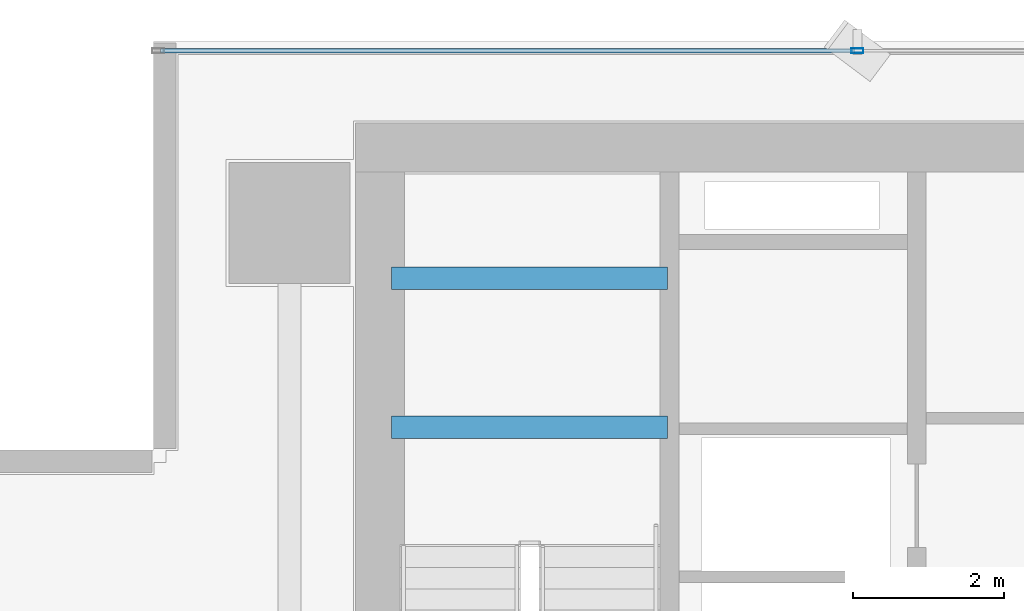
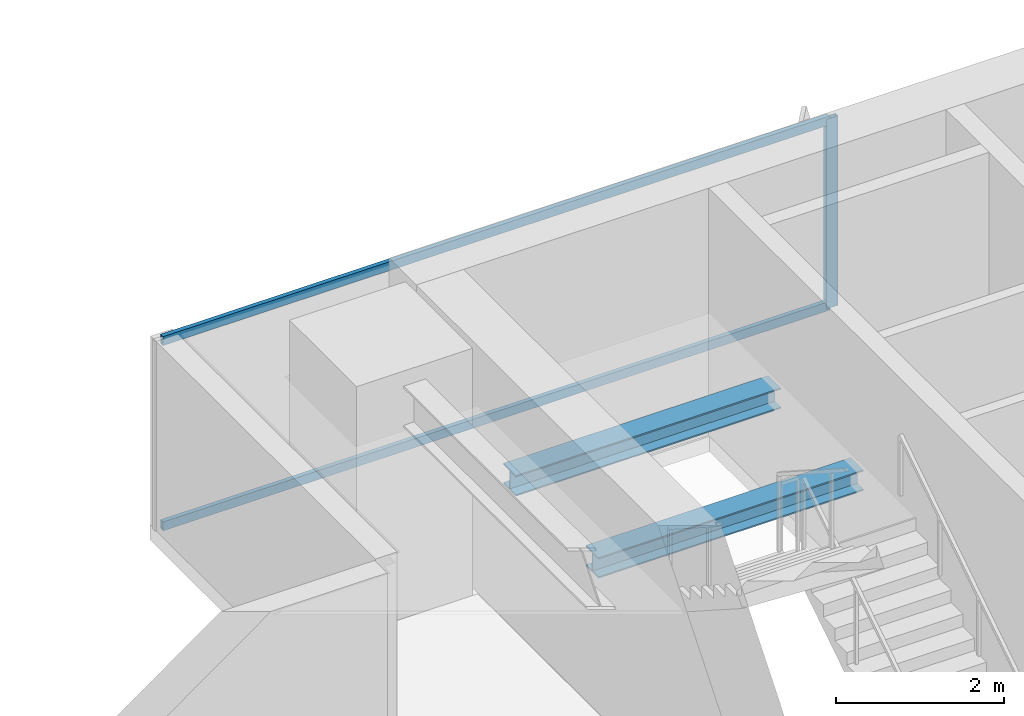
# One storey, part 15 of 28: 3 members, 2 beams, 1 element without a shape of its own.
"""IFC4 building model written with IfcOpenShell, lengths in metres."""

from ifc_helpers import new_model, si_unit, direction, frame, origin, origin_2d, place, context, subcontext, project, spatial, hollow_rectangle, i_section, extrude, source, transform, mapped, material, layer, layer_set, material_profile, profile_set, type_object, element, aggregate, save


model = new_model("IFC4")

# Units and contexts
model_context = context("Model", 3, precision=1e-05, world=origin(), true_north=direction((0.0, 1.0)))
body_context = subcontext(model_context, "Body", "Model", "MODEL_VIEW")
ifc_project = project(units=[si_unit("LENGTHUNIT", "METRE"), si_unit("AREAUNIT", "SQUARE_METRE"), si_unit("VOLUMEUNIT", "CUBIC_METRE"), si_unit("PLANEANGLEUNIT", "RADIAN"), si_unit("MASSUNIT", "GRAM", prefix="KILO")], contexts=[model_context])

# Site, building, storey
site_placement = place(None, origin())
site = spatial("IfcSite", under=ifc_project, at=site_placement, CompositionType="ELEMENT")
building_placement = place(site_placement, origin())
building = spatial("IfcBuilding", under=site, at=building_placement, Name="Sumidabori Civic Tower", CompositionType="ELEMENT")
storey_placement = place(building_placement, frame((0.0, 0.0, 153.199951171875)))
storey = spatial("IfcBuildingStorey", under=building, at=storey_placement, Name="L39", CompositionType="ELEMENT", Elevation=153.199951171875)

# Beams
ifc_material_1 = material(Name="Steel SN490", Category="steel")
ifc_material_profile_1 = material_profile(ifc_material_1, i_section(OverallWidth=0.300048828125, OverallDepth=0.300048828125, WebThickness=0.010986328125, FlangeThickness=0.01904296875, at=origin_2d()), Name="HE 300 B")
ifc_profile_set_1 = profile_set([ifc_material_profile_1], Name="Steel SN490")
beam_type = type_object("IfcBeamType", Name="BM-LDG-300", PredefinedType="BEAM", material=ifc_profile_set_1)
shared_shape_1 = source(origin(), body_context, "Body", "SweptSolid", [
    extrude(i_section(OverallWidth=0.300048828125, OverallDepth=0.300048828125, WebThickness=0.010986328125, FlangeThickness=0.01904296875, at=origin_2d()), origin(), (0.0, 0.0, 1.0), 3.64990234375),
])
for number, where, z_axis, x_axis, name in (
    (1, (-15.449951171875, 20.09765625, 1.449951171875), (1.0, 0.0, 0.0), (0.0, 1.0, 0.0), "Stair ST-1 Landing Support Beam L39-1A"),
    (2, (-15.449951171875, 22.069580078125, 1.449951171875), (1.0, 0.0, 0.0), (0.0, 1.0, 0.0), "Stair ST-1 Landing Trimmer Beam L39-1B"),
):
    element("IfcBeam", number, at=place(storey_placement, frame(where, z_axis=z_axis, x_axis=x_axis)), inside=storey, type_object=beam_type, Name=name, PredefinedType="BEAM", context=body_context, shape_type="MappedRepresentation", body=[
        mapped(shared_shape_1, transform((0.0, 0.0, 0.0), x_axis=(1.0, 0.0, 0.0), y_axis=(0.0, 1.0, 0.0), z_axis=(0.0, 0.0, 1.0), scale=1.0)),
    ])

# Curtain wall, members
ifc_material_2 = material(Name="Anodised Bronze Aluminium AW-6063-T6", Category="aluminium")
ifc_layer = layer(ifc_material_2, 0.179931640625, Name="Anodised Bronze Aluminium AW-6063-T6")
ifc_layer_set = layer_set([ifc_layer], Name="Anodised Bronze Aluminium AW-6063-T6")
curtain_wall_type = type_object("IfcCurtainWallType", Name="CW-SYS-3", PredefinedType="NOTDEFINED", material=ifc_layer_set)
curtain_wall_placement = place(storey_placement, origin())
curtain_wall = element("IfcCurtainWall", 3, at=curtain_wall_placement, inside=storey, type_object=curtain_wall_type, Name="Curtain Wall CW:L39:R07", PredefinedType="NOTDEFINED")
ifc_material_profile_2 = material_profile(ifc_material_2, hollow_rectangle(XDim=0.06494140625, YDim=0.159912109375, WallThickness=0.0048828125, at=origin_2d()), Name="ALU MULLION 160x65")
ifc_profile_set_2 = profile_set([ifc_material_profile_2], Name="Anodised Bronze Aluminium AW-6063-T6")
member_type_1 = type_object("IfcMemberType", Name="CW-MUL-160", PredefinedType="MULLION", material=ifc_profile_set_2)
shared_shape_2 = source(origin(), body_context, "Body", "SweptSolid", [
    extrude(hollow_rectangle(XDim=0.06494140625, YDim=0.159912109375, WallThickness=0.0048828125, at=origin_2d()), origin(), (0.0, 0.0, 1.0), 2.760009765625),
])
member_1_placement = place(storey_placement, frame((-9.284912109375, 25.080078125, 0.0), z_axis=(0.0, 0.0, 1.0), x_axis=(0.0, -1.0, 0.0)))
member_1 = element("IfcMember", 4, at=member_1_placement, type_object=member_type_1, Name="CW-3 mullion 4", PredefinedType="MULLION", context=body_context, shape_type="MappedRepresentation", body=[
    mapped(shared_shape_2, transform((0.0, 0.0, 0.0), x_axis=(1.0, 0.0, 0.0), y_axis=(0.0, 1.0, 0.0), z_axis=(0.0, 0.0, 1.0), scale=1.0)),
])
ifc_material_profile_3 = material_profile(ifc_material_2, hollow_rectangle(XDim=0.06005859375, YDim=0.1298828125, WallThickness=0.0048828125, at=origin_2d()), Name="ALU TRANSOM 130x60")
ifc_profile_set_3 = profile_set([ifc_material_profile_3], Name="Anodised Bronze Aluminium AW-6063-T6")
member_type_2 = type_object("IfcMemberType", Name="CW-TRN-130", PredefinedType="USERDEFINED", material=ifc_profile_set_3)
shared_shape_3 = source(origin(), body_context, "Body", "SweptSolid", [
    extrude(hollow_rectangle(XDim=0.06005859375, YDim=0.1298828125, WallThickness=0.0048828125, at=origin_2d()), origin(), (0.0, 0.0, 1.0), 9.1875),
])
member_2_placement = place(storey_placement, frame((-9.3173828125, 25.080078125, 0.030029296875), z_axis=(-1.0, 0.0, 0.0), x_axis=(0.0, -1.0, 0.0)))
member_2 = element("IfcMember", 5, at=member_2_placement, type_object=member_type_2, Name="CW-3 transom 4.1", ObjectType="TRANSOM", PredefinedType="USERDEFINED", context=body_context, shape_type="MappedRepresentation", body=[
    mapped(shared_shape_3, transform((0.0, 0.0, 0.0), x_axis=(1.0, 0.0, 0.0), y_axis=(0.0, 1.0, 0.0), z_axis=(0.0, 0.0, 1.0), scale=1.0)),
])
member_3_placement = place(storey_placement, frame((-9.3173828125, 25.080078125, 2.72998046875), z_axis=(-1.0, 0.0, 0.0), x_axis=(0.0, -1.0, 0.0)))
member_3 = element("IfcMember", 6, at=member_3_placement, type_object=member_type_2, Name="CW-3 transom 4.2", ObjectType="TRANSOM", PredefinedType="USERDEFINED", context=body_context, shape_type="MappedRepresentation", body=[
    mapped(shared_shape_3, transform((0.0, 0.0, 0.0), x_axis=(1.0, 0.0, 0.0), y_axis=(0.0, 1.0, 0.0), z_axis=(0.0, 0.0, 1.0), scale=1.0)),
])
aggregate(curtain_wall, [member_1, member_2, member_3])

save(model, "model.ifc")
